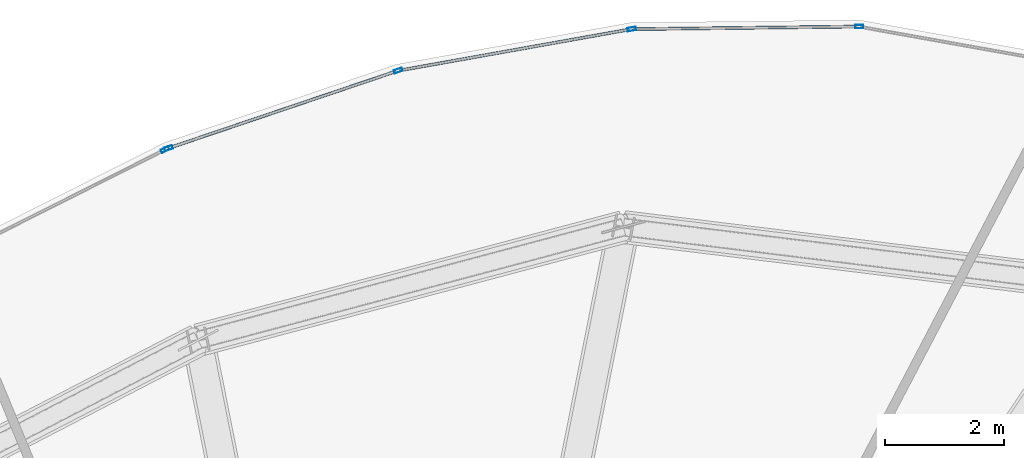
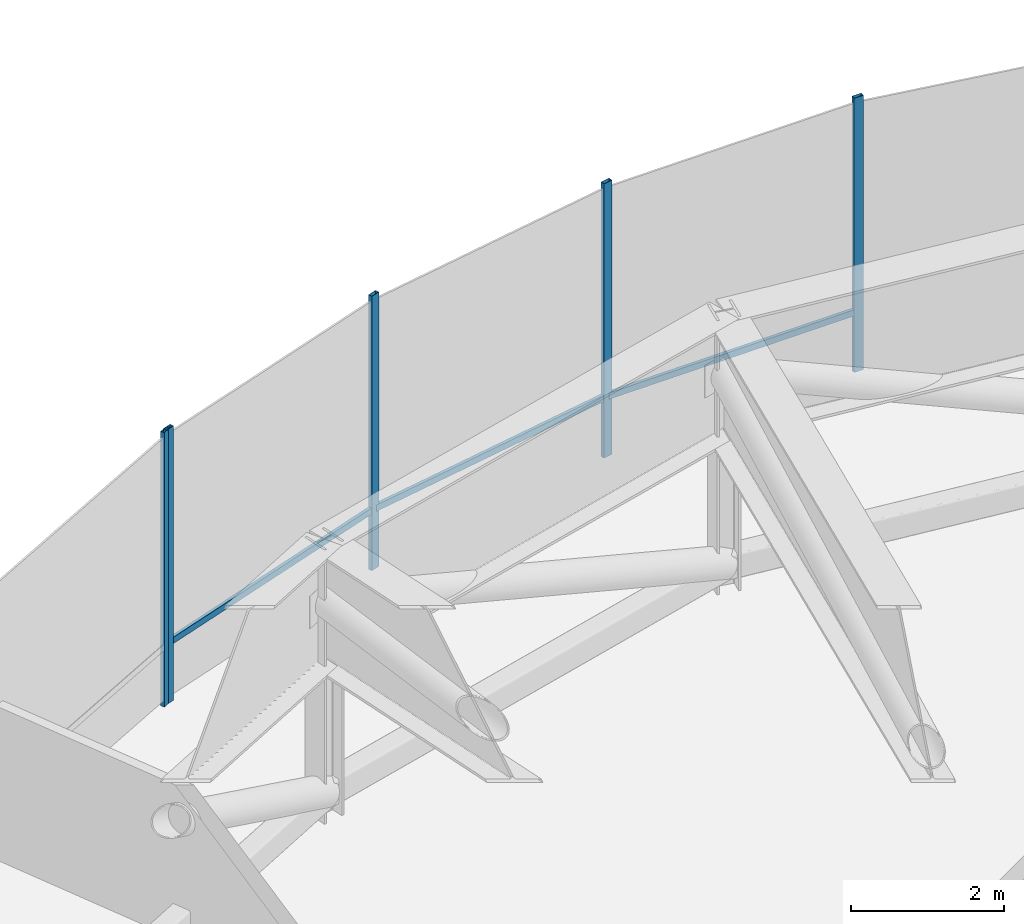
# One storey, part 18 of 26: 8 members, 2 elements without a shape of their own.
"""IFC4 building model written with IfcOpenShell, lengths in metres."""

from ifc_helpers import new_model, si_unit, direction, frame, origin, origin_2d, place, context, subcontext, project, spatial, hollow_rectangle, extrude, source, transform, mapped, material, layer, layer_set, material_profile, profile_set, type_object, element, aggregate, save


model = new_model("IFC4")

# Units and contexts
model_context = context("Model", 3, precision=1e-05, world=origin(), true_north=direction((0.0, 1.0)))
body_context = subcontext(model_context, "Body", "Model", "MODEL_VIEW")
ifc_project = project(units=[si_unit("LENGTHUNIT", "METRE"), si_unit("AREAUNIT", "SQUARE_METRE"), si_unit("VOLUMEUNIT", "CUBIC_METRE"), si_unit("PLANEANGLEUNIT", "RADIAN"), si_unit("MASSUNIT", "GRAM", prefix="KILO"), si_unit("THERMODYNAMICTEMPERATUREUNIT", "KELVIN")], contexts=[model_context])

# Site, building, storey
site_placement = place(None, origin())
site = spatial("IfcSite", under=ifc_project, at=site_placement, CompositionType="ELEMENT")
building_placement = place(site_placement, origin())
building = spatial("IfcBuilding", under=site, at=building_placement, Name="Kethvar Cultural Tower", CompositionType="ELEMENT")
storey_placement = place(building_placement, frame((0.0, 0.0, 223.60009765625)))
storey = spatial("IfcBuildingStorey", under=building, at=storey_placement, Name="L58", CompositionType="ELEMENT", Elevation=223.60009765625)

# Curtain wall, members
ifc_material = material(Name="Aluminium 6063-T6", Category="aluminium")
ifc_layer = layer(ifc_material, 0.179931640625, Name="Aluminium 6063-T6", Category="aluminium")
ifc_layer_set = layer_set([ifc_layer], Name="Aluminium 6063-T6 (180 mm)")
curtain_wall_type = type_object("IfcCurtainWallType", Name="CW-SYS-04-Z34", PredefinedType="NOTDEFINED", material=ifc_layer_set)
curtain_wall_1_placement = place(storey_placement, origin())
curtain_wall_1 = element("IfcCurtainWall", 1, at=curtain_wall_1_placement, inside=storey, type_object=curtain_wall_type, Name="L58 Curtain Wall Run 01", PredefinedType="NOTDEFINED")
ifc_material_profile_1 = material_profile(ifc_material, hollow_rectangle(XDim=0.06005859375, YDim=0.139892578125, WallThickness=0.0048828125, at=origin_2d()), Name="Aluminium 6063-T6 — RHS140x60x5")
ifc_profile_set_1 = profile_set([ifc_material_profile_1], Name="Aluminium 6063-T6 — RHS140x60x5")
member_type_1 = type_object("IfcMemberType", Name="CW-SYS-04-Z34-MUL", PredefinedType="MULLION", material=ifc_profile_set_1)
shared_shape_1 = source(origin(), body_context, "Body", "SweptSolid", [
    extrude(hollow_rectangle(XDim=0.06005859375, YDim=0.139892578125, WallThickness=0.0048828125, at=origin_2d()), origin(), (0.0, 0.0, 1.0), 4.3798828125),
])
member_1_placement = place(storey_placement, frame((54.513916015625, 50.0517578125, 0.0), z_axis=(0.0, 0.0, 1.0), x_axis=(0.011414205445, -0.999934855835, 0.0)))
member_1 = element("IfcMember", 2, at=member_1_placement, type_object=member_type_1, Name="CW-L58-R01 Mullion 4", PredefinedType="MULLION", context=body_context, shape_type="MappedRepresentation", body=[
    mapped(shared_shape_1, transform((0.0, 0.0, 0.0), scale=1.0)),
])
member_2_placement = place(storey_placement, frame((50.6962890625, 50.009765625, 0.0), z_axis=(0.0, 0.0, 1.0), x_axis=(0.175521369326, -0.984475621288, 0.0)))
member_2 = element("IfcMember", 3, at=member_2_placement, type_object=member_type_1, Name="CW-L58-R01 Mullion 5", PredefinedType="MULLION", context=body_context, shape_type="MappedRepresentation", body=[
    mapped(shared_shape_1, transform((0.0, 0.0, 0.0), scale=1.0)),
])
member_3_placement = place(storey_placement, frame((46.7783203125, 49.3125, 0.0), z_axis=(0.0, 0.0, 1.0), x_axis=(0.319968170778, -0.947428292637, 0.0)))
member_3 = element("IfcMember", 4, at=member_3_placement, type_object=member_type_1, Name="CW-L58-R01 Mullion 6", PredefinedType="MULLION", context=body_context, shape_type="MappedRepresentation", body=[
    mapped(shared_shape_1, transform((0.0, 0.0, 0.0), scale=1.0)),
])
member_4_placement = place(storey_placement, frame((42.924560546875, 48.010986328125, 0.0), z_axis=(0.0, 0.0, 1.0), x_axis=(0.319968170778, -0.947428292637, 0.0)))
member_4 = element("IfcMember", 5, at=member_4_placement, type_object=member_type_1, Name="CW-L58-R01 Mullion 7", PredefinedType="MULLION", context=body_context, shape_type="MappedRepresentation", body=[
    mapped(shared_shape_1, transform((0.0, 0.0, 0.0), scale=1.0)),
])

# Curtain wall, member
curtain_wall_2_placement = place(storey_placement, origin())
curtain_wall_2 = element("IfcCurtainWall", 6, at=curtain_wall_2_placement, inside=storey, type_object=curtain_wall_type, Name="L58 Curtain Wall Run 02", PredefinedType="NOTDEFINED")
member_5_placement = place(storey_placement, frame((42.8671875, 47.98681640625, 0.0), z_axis=(0.0, 0.0, 1.0), x_axis=(0.449833469043, -0.893112450999, 0.0)))
member_5 = element("IfcMember", 7, at=member_5_placement, type_object=member_type_1, Name="CW-L58-R02 Mullion 1", PredefinedType="MULLION", context=body_context, shape_type="MappedRepresentation", body=[
    mapped(shared_shape_1, transform((0.0, 0.0, 0.0), scale=1.0)),
])
aggregate(curtain_wall_2, [member_5])

# Member
ifc_material_profile_2 = material_profile(ifc_material, hollow_rectangle(XDim=0.050048828125, YDim=0.10009765625, WallThickness=0.00390625, at=origin_2d()), Name="Aluminium 6063-T6 — RHS100x50x4")
ifc_profile_set_2 = profile_set([ifc_material_profile_2], Name="Aluminium 6063-T6 — RHS100x50x4")
member_type_2 = type_object("IfcMemberType", Name="CW-SYS-04-Z34-TRN", PredefinedType="USERDEFINED", material=ifc_profile_set_2)
shared_shape_2 = source(origin(), body_context, "Body", "SweptSolid", [
    extrude(hollow_rectangle(XDim=0.050048828125, YDim=0.10009765625, WallThickness=0.00390625, at=origin_2d()), origin(), (0.0, 0.0, 1.0), 3.749267578125),
])
member_6_placement = place(storey_placement, frame((54.470703125, 50.05126953125, 0.949951171875), z_axis=(-0.999935069672, -0.011395456967, 0.0), x_axis=(0.011395456967, -0.999935069672, 0.0)))
member_6 = element("IfcMember", 8, at=member_6_placement, type_object=member_type_2, Name="CW-L58-R01 Transom 4", ObjectType="TRANSOM", PredefinedType="USERDEFINED", context=body_context, shape_type="MappedRepresentation", body=[
    mapped(shared_shape_2, transform((0.0, 0.0, 0.0), scale=1.0)),
])

shared_shape_3 = source(origin(), body_context, "Body", "SweptSolid", [
    extrude(hollow_rectangle(XDim=0.050048828125, YDim=0.10009765625, WallThickness=0.00390625, at=origin_2d()), origin(), (0.0, 0.0, 1.0), 3.90966796875),
])
member_7_placement = place(storey_placement, frame((50.65380859375, 50.002197265625, 0.949951171875), z_axis=(-0.984472699194, -0.175537758163, 0.0), x_axis=(0.175537758163, -0.984472699194, 0.0)))
member_7 = element("IfcMember", 9, at=member_7_placement, type_object=member_type_2, Name="CW-L58-R01 Transom 5", ObjectType="TRANSOM", PredefinedType="USERDEFINED", context=body_context, shape_type="MappedRepresentation", body=[
    mapped(shared_shape_3, transform((0.0, 0.0, 0.0), scale=1.0)),
])

shared_shape_4 = source(origin(), body_context, "Body", "SweptSolid", [
    extrude(hollow_rectangle(XDim=0.050048828125, YDim=0.10009765625, WallThickness=0.00390625, at=origin_2d()), origin(), (0.0, 0.0, 1.0), 4.020263671875),
])
member_8_placement = place(storey_placement, frame((46.7373046875, 49.298583984375, 0.949951171875), z_axis=(-0.947424868001, -0.319978310973, 0.0), x_axis=(0.319978310973, -0.947424868001, 0.0)))
member_8 = element("IfcMember", 10, at=member_8_placement, type_object=member_type_2, Name="CW-L58-R01 Transom 6", ObjectType="TRANSOM", PredefinedType="USERDEFINED", context=body_context, shape_type="MappedRepresentation", body=[
    mapped(shared_shape_4, transform((0.0, 0.0, 0.0), scale=1.0)),
])

aggregate(curtain_wall_1, [member_1, member_2, member_3, member_4, member_6, member_7, member_8])

save(model, "model.ifc")
